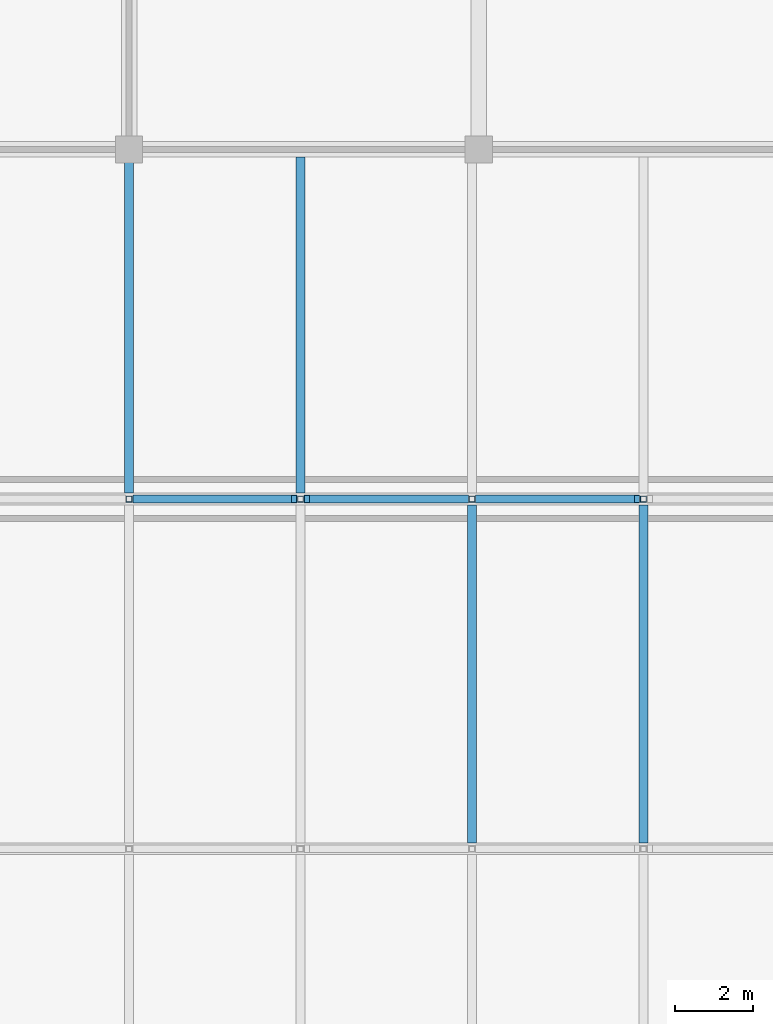
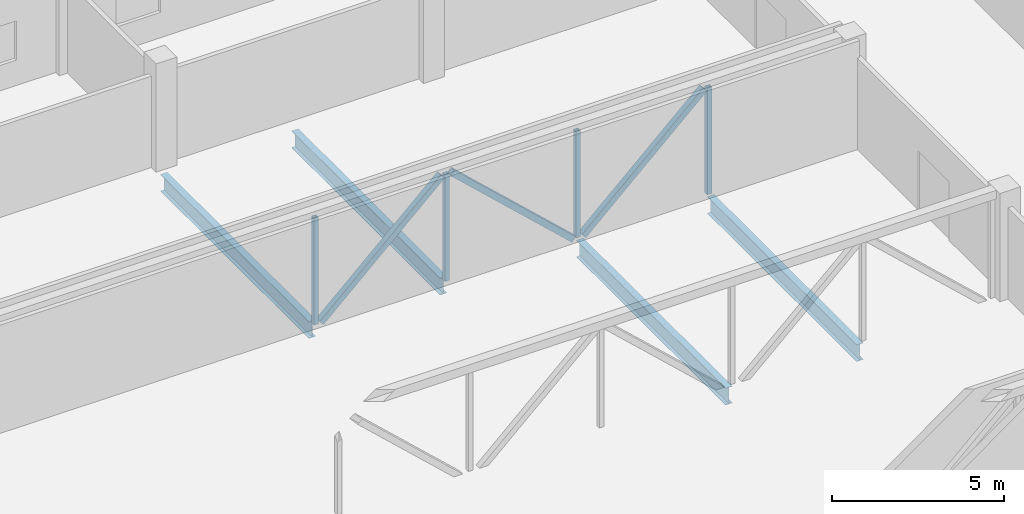
# One storey, part 18 of 42: 7 members, 4 beams.
"""IFC4 building model written with IfcOpenShell, lengths in metres."""

from ifc_helpers import new_model, si_unit, direction, frame, origin, origin_2d, place, context, subcontext, project, spatial, hollow_rectangle, i_section, extrude, material, material_profile, profile_set, type_object, element, save


model = new_model("IFC4")

# Units and contexts
model_context = context("Model", 3, precision=1e-05, world=origin(), true_north=direction((0.0, 1.0)))
body_context = subcontext(model_context, "Body", "Model", "MODEL_VIEW")
ifc_project = project(units=[si_unit("LENGTHUNIT", "METRE"), si_unit("AREAUNIT", "SQUARE_METRE"), si_unit("VOLUMEUNIT", "CUBIC_METRE"), si_unit("PLANEANGLEUNIT", "RADIAN"), si_unit("MASSUNIT", "GRAM", prefix="KILO")], contexts=[model_context])

# Site, building, storey
site_placement = place(None, origin())
site = spatial("IfcSite", under=ifc_project, at=site_placement, CompositionType="ELEMENT")
building_placement = place(site_placement, origin())
building = spatial("IfcBuilding", under=site, at=building_placement, Name="Corbel Stack Research Tower", CompositionType="ELEMENT")
storey_placement = place(building_placement, frame((0.0, 0.0, 11.300048828125)))
storey = spatial("IfcBuildingStorey", under=building, at=storey_placement, Name="L02", CompositionType="ELEMENT", Elevation=11.300048828125)

# Beams
ifc_material_1 = material(Name="Steel S355", Category="steel")
ifc_material_profile_1 = material_profile(ifc_material_1, i_section(OverallWidth=0.22802734375, OverallDepth=0.60302734375, WebThickness=0.010986328125, FlangeThickness=0.014892578125, at=origin_2d()), Name="W24x68")
ifc_profile_set_1 = profile_set([ifc_material_profile_1], Name="Steel S355")
beam_type = type_object("IfcBeamType", Name="HB2 steel beam W24x68", PredefinedType="BEAM", material=ifc_profile_set_1)
for number, where, z_axis, x_axis, name in (
    (1, (77.77490234375, 0.152587890625, -0.551513671875), (0.0, 1.0, 0.0), (-1.0, 0.0, 0.0), "Steel floor beam L02 bay 3 line 6"),
    (2, (82.1875, 0.152587890625, -0.551513671875), (0.0, 1.0, 0.0), (-1.0, 0.0, 0.0), "Steel floor beam L02 bay 3 line 7"),
):
    element("IfcBeam", number, at=place(storey_placement, frame(where, z_axis=z_axis, x_axis=x_axis)), inside=storey, type_object=beam_type, Name=name, PredefinedType="BEAM", context=body_context, shape_type="SweptSolid", body=[
        extrude(i_section(OverallWidth=0.22802734375, OverallDepth=0.60302734375, WebThickness=0.010986328125, FlangeThickness=0.014892578125, at=origin_2d()), origin(), (0.0, 0.0, 1.0), 8.69482421875),
    ])
for number, where, z_axis, x_axis, name in (
    (3, (68.949951171875, 9.152587890625, -0.551513671875), (0.0, 1.0, 0.0), (-1.0, 0.0, 0.0), "Steel floor beam L02 bay 4 line 4"),
    (4, (73.362548828125, 9.152587890625, -0.551513671875), (0.0, 1.0, 0.0), (-1.0, 0.0, 0.0), "Steel floor beam L02 bay 4 line 5"),
):
    element("IfcBeam", number, at=place(storey_placement, frame(where, z_axis=z_axis, x_axis=x_axis)), inside=storey, type_object=beam_type, Name=name, PredefinedType="BEAM", context=body_context, shape_type="SweptSolid", body=[
        extrude(i_section(OverallWidth=0.22802734375, OverallDepth=0.60302734375, WebThickness=0.010986328125, FlangeThickness=0.014892578125, at=origin_2d()), origin(), (0.0, 0.0, 1.0), 8.6474609375),
    ])

# Members
ifc_material_2 = material(Name="Steel S355", Category="steel")
ifc_material_profile_2 = material_profile(ifc_material_2, hollow_rectangle(XDim=0.202880859375, YDim=0.202880859375, WallThickness=0.0087890625, at=origin_2d()), Name="HSS8x8x3/8")
ifc_profile_set_2 = profile_set([ifc_material_profile_2], Name="Steel S355")
member_type_1 = type_object("IfcMemberType", Name="HT2 truss diagonal HSS8x8x3/8", PredefinedType="BRACE", material=ifc_profile_set_2)
member_placement = place(storey_placement, frame((69.114013671875, 9.0, -0.25), z_axis=(0.73259694856, 0.0, 0.680662699845), x_axis=(0.0, 1.0, 0.0)))
element("IfcMember", 5, at=member_placement, inside=storey, type_object=member_type_1, Name="Truss TA3 diagonal 5", PredefinedType="BRACE", context=body_context, shape_type="SweptSolid", body=[
    extrude(hollow_rectangle(XDim=0.202880859375, YDim=0.202880859375, WallThickness=0.0087890625, at=origin_2d()), origin(), (0.0, 0.0, 1.0), 5.575439453125),
])
for number, where, z_axis, x_axis, name in (
    (6, (73.526611328125, 9.0, 3.544921875), (0.732576659872, 0.0, -0.680684535898), (0.0, 1.0, 0.0), "Truss TA3 diagonal 6"),
    (7, (77.939208984375, 9.0, -0.25), (0.732576659872, 0.0, 0.680684535898), (0.0, 1.0, 0.0), "Truss TA3 diagonal 7"),
):
    element("IfcMember", number, at=place(storey_placement, frame(where, z_axis=z_axis, x_axis=x_axis)), inside=storey, type_object=member_type_1, Name=name, PredefinedType="BRACE", context=body_context, shape_type="SweptSolid", body=[
        extrude(hollow_rectangle(XDim=0.202880859375, YDim=0.202880859375, WallThickness=0.0087890625, at=origin_2d()), origin(), (0.0, 0.0, 1.0), 5.5751953125),
    ])
ifc_material_3 = material(Name="Steel S355", Category="steel")
ifc_material_profile_3 = material_profile(ifc_material_3, hollow_rectangle(XDim=0.152099609375, YDim=0.152099609375, WallThickness=0.005859375, at=origin_2d()), Name="HSS6x6x1/4")
ifc_profile_set_3 = profile_set([ifc_material_profile_3], Name="Steel S355")
member_type_2 = type_object("IfcMemberType", Name="HT3 truss post HSS6x6x1/4", PredefinedType="POST", material=ifc_profile_set_3)
for number, where, z_axis, x_axis, name in (
    (8, (68.949951171875, 9.0, -0.25), (0.0, 0.0, 1.0), (1.0, 0.0, 0.0), "Truss TA3 post 5"),
    (9, (73.362548828125, 9.0, -0.25), (0.0, 0.0, 1.0), (1.0, 0.0, 0.0), "Truss TA3 post 6"),
    (10, (77.77490234375, 9.0, -0.25), (0.0, 0.0, 1.0), (1.0, 0.0, 0.0), "Truss TA3 post 7"),
    (11, (82.1875, 9.0, -0.25), (0.0, 0.0, 1.0), (1.0, 0.0, 0.0), "Truss TA3 post 8"),
):
    element("IfcMember", number, at=place(storey_placement, frame(where, z_axis=z_axis, x_axis=x_axis)), inside=storey, type_object=member_type_2, Name=name, PredefinedType="POST", context=body_context, shape_type="SweptSolid", body=[
        extrude(hollow_rectangle(XDim=0.152099609375, YDim=0.152099609375, WallThickness=0.005859375, at=origin_2d()), origin(), (0.0, 0.0, 1.0), 3.794921875),
    ])

save(model, "model.ifc")
